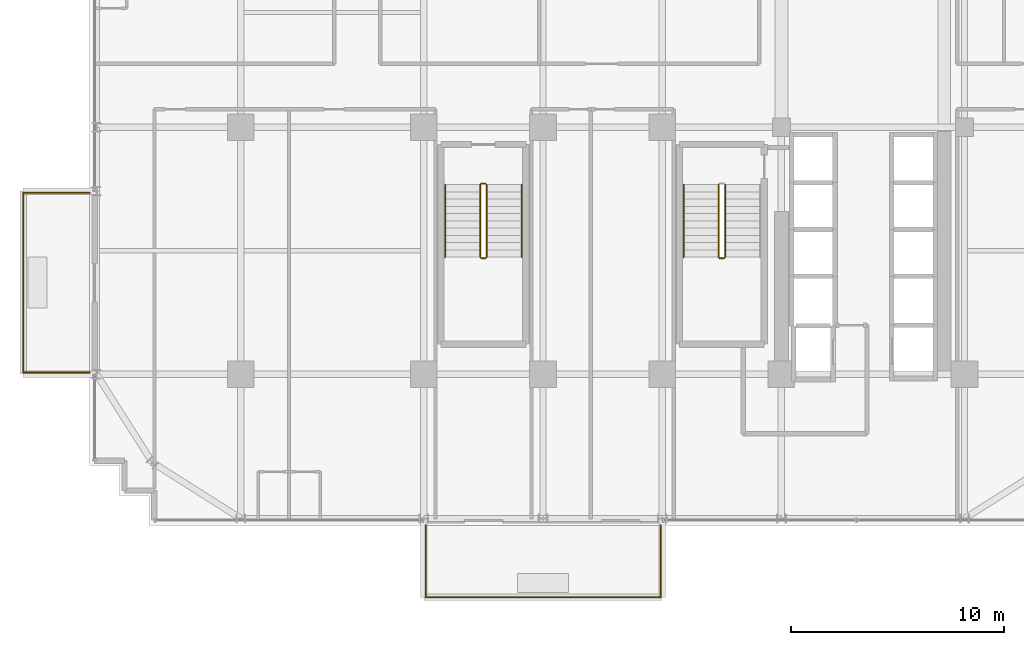
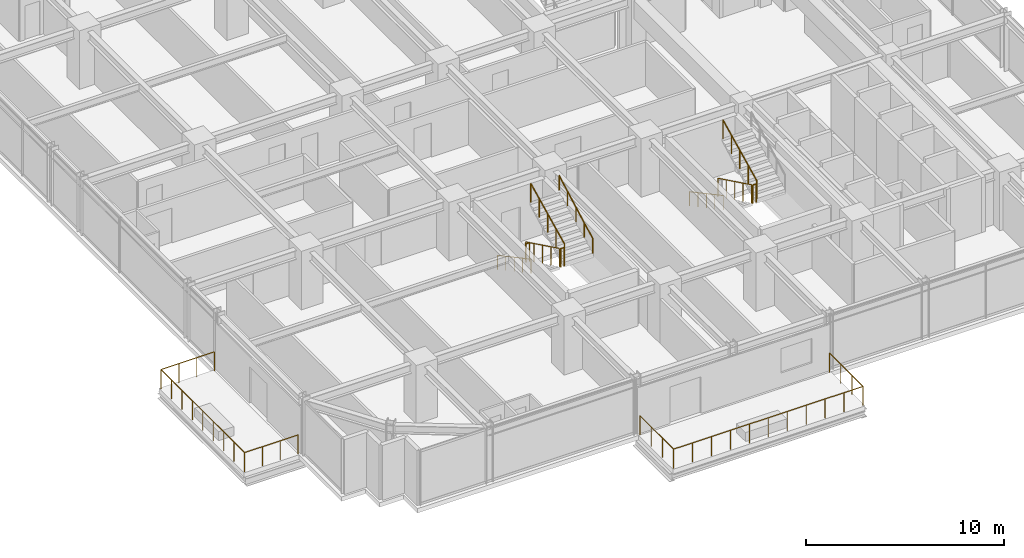
# One storey, part 29 of 31: 12 railings.
"""IFC4 building model written with IfcOpenShell, lengths in metres."""

from ifc_helpers import new_model, si_unit, direction, frame, origin, origin_2d, place, context, subcontext, project, spatial, circle, extrude, material, type_object, element, save


model = new_model("IFC4")

# Units and contexts
model_context = context("Model", 3, precision=1e-05, world=origin(), true_north=direction((0.0, 1.0)))
body_context = subcontext(model_context, "Body", "Model", "MODEL_VIEW")
ifc_project = project(units=[si_unit("LENGTHUNIT", "METRE"), si_unit("AREAUNIT", "SQUARE_METRE"), si_unit("VOLUMEUNIT", "CUBIC_METRE"), si_unit("PLANEANGLEUNIT", "RADIAN"), si_unit("MASSUNIT", "GRAM", prefix="KILO")], contexts=[model_context])

# Site, building, storey
site_placement = place(None, origin())
site = spatial("IfcSite", under=ifc_project, at=site_placement, CompositionType="ELEMENT")
building_placement = place(site_placement, origin())
building = spatial("IfcBuilding", under=site, at=building_placement, Name="Nahalor Promenade Grand Hotel", CompositionType="ELEMENT")
storey_placement = place(building_placement, frame((0.0, 0.0, 95.60009765625)))
storey = spatial("IfcBuildingStorey", under=building, at=storey_placement, Name="L23", CompositionType="ELEMENT", Elevation=95.60009765625)

# Railings
ifc_material_1 = material(Name="Anodised Bronze Aluminium EN AW-6063 T6", Category="aluminium")
railing_type_1 = type_object("IfcRailingType", Name="Bronze Balcony Guardrail 1200 mm", PredefinedType="GUARDRAIL", material=ifc_material_1)
railing_1_placement = place(storey_placement, frame((-8.320068359375, -24.10009765625, 0.0)))
element("IfcRailing", 1, at=railing_1_placement, inside=storey, type_object=railing_type_1, Name="L23 Balcony Guardrail 1", PredefinedType="GUARDRAIL", context=body_context, shape_type="SweptSolid", body=[
    extrude(circle(Radius=0.024048, at=origin_2d()), frame((0.0, 0.0, 1.17578125), z_axis=(0.0, -1.0, 0.0), x_axis=(1.0, 0.0, 0.0)), (0.0, 0.0, 1.0), 3.3779296875),
    extrude(circle(Radius=0.024048, at=origin_2d()), frame((0.001953125, -3.3798828125, 1.17578125), z_axis=(1.0, 0.0, 0.0), x_axis=(0.0, 1.0, 0.0)), (0.0, 0.0, 1.0), 11.0361328125),
    extrude(circle(Radius=0.024048, at=origin_2d()), frame((11.0400390625, -3.3779296875, 1.17578125), z_axis=(0.0, 1.0, 0.0), x_axis=(-1.0, 0.0, 0.0)), (0.0, 0.0, 1.0), 3.3779296875),
    extrude(circle(Radius=0.020996, at=origin_2d()), origin(), (0.0, 0.0, 1.0), 1.14990234375),
    extrude(circle(Radius=0.020996, at=origin_2d()), frame((0.0, -1.126708984375, 0.0)), (0.0, 0.0, 1.0), 1.14990234375),
    extrude(circle(Radius=0.020996, at=origin_2d()), frame((0.0, -2.253173828125, 0.0)), (0.0, 0.0, 1.0), 1.14990234375),
    extrude(circle(Radius=0.020996, at=origin_2d()), frame((0.0, -3.3798828125, 0.0)), (0.0, 0.0, 1.0), 1.14990234375),
    extrude(circle(Radius=0.020996, at=origin_2d()), frame((1.10400390625, -3.3798828125, 0.0)), (0.0, 0.0, 1.0), 1.14990234375),
    extrude(circle(Radius=0.020996, at=origin_2d()), frame((2.2080078125, -3.3798828125, 0.0)), (0.0, 0.0, 1.0), 1.14990234375),
    extrude(circle(Radius=0.020996, at=origin_2d()), frame((3.31201171875, -3.3798828125, 0.0)), (0.0, 0.0, 1.0), 1.14990234375),
    extrude(circle(Radius=0.020996, at=origin_2d()), frame((4.416015625, -3.3798828125, 0.0)), (0.0, 0.0, 1.0), 1.14990234375),
    extrude(circle(Radius=0.020996, at=origin_2d()), frame((5.52001953125, -3.3798828125, 0.0)), (0.0, 0.0, 1.0), 1.14990234375),
    extrude(circle(Radius=0.020996, at=origin_2d()), frame((6.6240234375, -3.3798828125, 0.0)), (0.0, 0.0, 1.0), 1.14990234375),
    extrude(circle(Radius=0.020996, at=origin_2d()), frame((7.72802734375, -3.3798828125, 0.0)), (0.0, 0.0, 1.0), 1.14990234375),
    extrude(circle(Radius=0.020996, at=origin_2d()), frame((8.83203125, -3.3798828125, 0.0)), (0.0, 0.0, 1.0), 1.14990234375),
    extrude(circle(Radius=0.020996, at=origin_2d()), frame((9.93603515625, -3.3798828125, 0.0)), (0.0, 0.0, 1.0), 1.14990234375),
    extrude(circle(Radius=0.020996, at=origin_2d()), frame((11.0400390625, -3.3798828125, 0.0)), (0.0, 0.0, 1.0), 1.14990234375),
    extrude(circle(Radius=0.020996, at=origin_2d()), frame((11.0400390625, -2.253173828125, 0.0)), (0.0, 0.0, 1.0), 1.14990234375),
    extrude(circle(Radius=0.020996, at=origin_2d()), frame((11.0400390625, -1.126708984375, 0.0)), (0.0, 0.0, 1.0), 1.14990234375),
    extrude(circle(Radius=0.020996, at=origin_2d()), frame((11.0400390625, 0.0, 0.0)), (0.0, 0.0, 1.0), 1.14990234375),
])
railing_2_placement = place(storey_placement, frame((-24.10009765625, -16.919921875, 0.0)))
element("IfcRailing", 2, at=railing_2_placement, inside=storey, type_object=railing_type_1, Name="L23 Balcony Guardrail 2", PredefinedType="GUARDRAIL", context=body_context, shape_type="SweptSolid", body=[
    extrude(circle(Radius=0.024048, at=origin_2d()), frame((0.0, 0.0, 1.17578125), z_axis=(-1.0, 0.0, 0.0), x_axis=(0.0, -1.0, 0.0)), (0.0, 0.0, 1.0), 3.117919921875),
    extrude(circle(Radius=0.024048, at=origin_2d()), frame((-3.119873046875, 0.001953125, 1.17578125), z_axis=(0.0, 1.0, 0.0), x_axis=(-1.0, 0.0, 0.0)), (0.0, 0.0, 1.0), 8.43603515625),
    extrude(circle(Radius=0.024048, at=origin_2d()), frame((-3.117919921875, 8.43994140625, 1.17578125), z_axis=(1.0, 0.0, 0.0), x_axis=(0.0, 1.0, 0.0)), (0.0, 0.0, 1.0), 3.117919921875),
    extrude(circle(Radius=0.020996, at=origin_2d()), origin(), (0.0, 0.0, 1.0), 1.14990234375),
    extrude(circle(Radius=0.020996, at=origin_2d()), frame((-1.0400390625, 0.0, 0.0)), (0.0, 0.0, 1.0), 1.14990234375),
    extrude(circle(Radius=0.020996, at=origin_2d()), frame((-2.079833984375, 0.0, 0.0)), (0.0, 0.0, 1.0), 1.14990234375),
    extrude(circle(Radius=0.020996, at=origin_2d()), frame((-3.119873046875, 0.0, 0.0)), (0.0, 0.0, 1.0), 1.14990234375),
    extrude(circle(Radius=0.020996, at=origin_2d()), frame((-3.119873046875, 1.054931640625, 0.0)), (0.0, 0.0, 1.0), 1.14990234375),
    extrude(circle(Radius=0.020996, at=origin_2d()), frame((-3.119873046875, 2.10986328125, 0.0)), (0.0, 0.0, 1.0), 1.14990234375),
    extrude(circle(Radius=0.020996, at=origin_2d()), frame((-3.119873046875, 3.1650390625, 0.0)), (0.0, 0.0, 1.0), 1.14990234375),
    extrude(circle(Radius=0.020996, at=origin_2d()), frame((-3.119873046875, 4.219970703125, 0.0)), (0.0, 0.0, 1.0), 1.14990234375),
    extrude(circle(Radius=0.020996, at=origin_2d()), frame((-3.119873046875, 5.27490234375, 0.0)), (0.0, 0.0, 1.0), 1.14990234375),
    extrude(circle(Radius=0.020996, at=origin_2d()), frame((-3.119873046875, 6.330078125, 0.0)), (0.0, 0.0, 1.0), 1.14990234375),
    extrude(circle(Radius=0.020996, at=origin_2d()), frame((-3.119873046875, 7.385009765625, 0.0)), (0.0, 0.0, 1.0), 1.14990234375),
    extrude(circle(Radius=0.020996, at=origin_2d()), frame((-3.119873046875, 8.43994140625, 0.0)), (0.0, 0.0, 1.0), 1.14990234375),
    extrude(circle(Radius=0.020996, at=origin_2d()), frame((-2.079833984375, 8.43994140625, 0.0)), (0.0, 0.0, 1.0), 1.14990234375),
    extrude(circle(Radius=0.020996, at=origin_2d()), frame((-1.0400390625, 8.43994140625, 0.0)), (0.0, 0.0, 1.0), 1.14990234375),
    extrude(circle(Radius=0.020996, at=origin_2d()), frame((0.0, 8.43994140625, 0.0)), (0.0, 0.0, 1.0), 1.14990234375),
])
ifc_material_2 = material(Name="Steel S355JR", Category="steel")
railing_type_2 = type_object("IfcRailingType", Name="Steel Stair Guardrail 1150 mm", PredefinedType="GUARDRAIL", material=ifc_material_2)
railing_3_placement = place(storey_placement, frame((5.449951171875, -8.10009765625, 0.165771484375)))
element("IfcRailing", 3, at=railing_3_placement, inside=storey, type_object=railing_type_2, Name="L23 ST2 stair guard 1", PredefinedType="GUARDRAIL", context=body_context, shape_type="SweptSolid", body=[
    extrude(circle(Radius=0.024048, at=origin_2d()), frame((0.0, 0.0, 1.1259765625), z_axis=(0.0, -0.898696488221, 0.438571114028), x_axis=(1.0, 0.0, 0.0)), (0.0, 0.0, 1.0), 3.783203125),
    extrude(circle(Radius=0.020996, at=origin_2d()), origin(), (0.0, 0.0, 1.0), 1.099853515625),
    extrude(circle(Radius=0.020996, at=origin_2d()), frame((0.0, -0.85009765625, 0.414794921875)), (0.0, 0.0, 1.0), 1.099853515625),
    extrude(circle(Radius=0.020996, at=origin_2d()), frame((0.0, -1.699951171875, 0.82958984375)), (0.0, 0.0, 1.0), 1.099853515625),
    extrude(circle(Radius=0.020996, at=origin_2d()), frame((0.0, -2.5498046875, 1.244384765625)), (0.0, 0.0, 1.0), 1.099853515625),
    extrude(circle(Radius=0.020996, at=origin_2d()), frame((0.0, -3.39990234375, 1.6591796875)), (0.0, 0.0, 1.0), 1.099853515625),
])
railing_4_placement = place(storey_placement, frame((5.5, -11.550048828125, 1.824951171875)))
element("IfcRailing", 4, at=railing_4_placement, inside=storey, type_object=railing_type_2, Name="L23 ST2 stair guard 2", PredefinedType="GUARDRAIL", context=body_context, shape_type="SweptSolid", body=[
    extrude(circle(Radius=0.024048, at=origin_2d()), frame((0.0, 0.0, 1.1259765625), z_axis=(1.0, 0.0, 0.0), x_axis=(0.0, 1.0, 0.0)), (0.0, 0.0, 1.0), 0.199951171875),
    extrude(circle(Radius=0.020996, at=origin_2d()), origin(), (0.0, 0.0, 1.0), 1.099853515625),
    extrude(circle(Radius=0.020996, at=origin_2d()), frame((0.199951171875, 0.0, 0.0)), (0.0, 0.0, 1.0), 1.099853515625),
])
railing_5_placement = place(storey_placement, frame((5.75, -11.5, 1.99072265625)))
element("IfcRailing", 5, at=railing_5_placement, inside=storey, type_object=railing_type_2, Name="L23 ST2 stair guard 3", PredefinedType="GUARDRAIL", context=body_context, shape_type="SweptSolid", body=[
    extrude(circle(Radius=0.024048, at=origin_2d()), frame((0.0, 0.0, 1.1259765625), z_axis=(0.0, 0.898696488221, 0.438571114028), x_axis=(-1.0, 0.0, 0.0)), (0.0, 0.0, 1.0), 3.783203125),
    extrude(circle(Radius=0.020996, at=origin_2d()), origin(), (0.0, 0.0, 1.0), 1.099853515625),
    extrude(circle(Radius=0.020996, at=origin_2d()), frame((0.0, 0.85009765625, 0.414794921875)), (0.0, 0.0, 1.0), 1.099853515625),
    extrude(circle(Radius=0.020996, at=origin_2d()), frame((0.0, 1.699951171875, 0.82958984375)), (0.0, 0.0, 1.0), 1.099853515625),
    extrude(circle(Radius=0.020996, at=origin_2d()), frame((0.0, 2.5498046875, 1.244384765625)), (0.0, 0.0, 1.0), 1.099853515625),
    extrude(circle(Radius=0.020996, at=origin_2d()), frame((0.0, 3.39990234375, 1.6591796875)), (0.0, 0.0, 1.0), 1.099853515625),
])
railing_6_placement = place(storey_placement, frame((-5.75, -8.10009765625, 0.165771484375)))
element("IfcRailing", 6, at=railing_6_placement, inside=storey, type_object=railing_type_2, Name="L23 ST3 stair guard 1", PredefinedType="GUARDRAIL", context=body_context, shape_type="SweptSolid", body=[
    extrude(circle(Radius=0.024048, at=origin_2d()), frame((0.0, 0.0, 1.1259765625), z_axis=(0.0, -0.898696488221, 0.438571114028), x_axis=(1.0, 0.0, 0.0)), (0.0, 0.0, 1.0), 3.783203125),
    extrude(circle(Radius=0.020996, at=origin_2d()), origin(), (0.0, 0.0, 1.0), 1.099853515625),
    extrude(circle(Radius=0.020996, at=origin_2d()), frame((0.0, -0.85009765625, 0.414794921875)), (0.0, 0.0, 1.0), 1.099853515625),
    extrude(circle(Radius=0.020996, at=origin_2d()), frame((0.0, -1.699951171875, 0.82958984375)), (0.0, 0.0, 1.0), 1.099853515625),
    extrude(circle(Radius=0.020996, at=origin_2d()), frame((0.0, -2.5498046875, 1.244384765625)), (0.0, 0.0, 1.0), 1.099853515625),
    extrude(circle(Radius=0.020996, at=origin_2d()), frame((0.0, -3.39990234375, 1.6591796875)), (0.0, 0.0, 1.0), 1.099853515625),
])
railing_7_placement = place(storey_placement, frame((-5.699951171875, -11.550048828125, 1.824951171875)))
element("IfcRailing", 7, at=railing_7_placement, inside=storey, type_object=railing_type_2, Name="L23 ST3 stair guard 2", PredefinedType="GUARDRAIL", context=body_context, shape_type="SweptSolid", body=[
    extrude(circle(Radius=0.024048, at=origin_2d()), frame((0.0, 0.0, 1.1259765625), z_axis=(1.0, 0.0, 0.0), x_axis=(0.0, 1.0, 0.0)), (0.0, 0.0, 1.0), 0.199951171875),
    extrude(circle(Radius=0.020996, at=origin_2d()), origin(), (0.0, 0.0, 1.0), 1.099853515625),
    extrude(circle(Radius=0.020996, at=origin_2d()), frame((0.199951171875, 0.0, 0.0)), (0.0, 0.0, 1.0), 1.099853515625),
])
railing_8_placement = place(storey_placement, frame((-5.449951171875, -11.5, 1.99072265625)))
element("IfcRailing", 8, at=railing_8_placement, inside=storey, type_object=railing_type_2, Name="L23 ST3 stair guard 3", PredefinedType="GUARDRAIL", context=body_context, shape_type="SweptSolid", body=[
    extrude(circle(Radius=0.024048, at=origin_2d()), frame((0.0, 0.0, 1.1259765625), z_axis=(0.0, 0.898696488221, 0.438571114028), x_axis=(-1.0, 0.0, 0.0)), (0.0, 0.0, 1.0), 3.783203125),
    extrude(circle(Radius=0.020996, at=origin_2d()), origin(), (0.0, 0.0, 1.0), 1.099853515625),
    extrude(circle(Radius=0.020996, at=origin_2d()), frame((0.0, 0.85009765625, 0.414794921875)), (0.0, 0.0, 1.0), 1.099853515625),
    extrude(circle(Radius=0.020996, at=origin_2d()), frame((0.0, 1.699951171875, 0.82958984375)), (0.0, 0.0, 1.0), 1.099853515625),
    extrude(circle(Radius=0.020996, at=origin_2d()), frame((0.0, 2.5498046875, 1.244384765625)), (0.0, 0.0, 1.0), 1.099853515625),
    extrude(circle(Radius=0.020996, at=origin_2d()), frame((0.0, 3.39990234375, 1.6591796875)), (0.0, 0.0, 1.0), 1.099853515625),
])
railing_9_placement = place(storey_placement, frame((-5.699951171875, -8.050048828125, 0.0)))
element("IfcRailing", 9, at=railing_9_placement, inside=storey, type_object=railing_type_2, Name="L23 ST3 stair guard 4", PredefinedType="GUARDRAIL", context=body_context, shape_type="SweptSolid", body=[
    extrude(circle(Radius=0.024048, at=origin_2d()), frame((0.0, 0.0, 1.1259765625), z_axis=(1.0, 0.0, 0.0), x_axis=(0.0, 1.0, 0.0)), (0.0, 0.0, 1.0), 0.199951171875),
    extrude(circle(Radius=0.020996, at=origin_2d()), origin(), (0.0, 0.0, 1.0), 1.099853515625),
    extrude(circle(Radius=0.020996, at=origin_2d()), frame((0.199951171875, 0.0, 0.0)), (0.0, 0.0, 1.0), 1.099853515625),
])
railing_type_3 = type_object("IfcRailingType", Name="Steel Stair Handrail 900 mm", PredefinedType="HANDRAIL", material=ifc_material_2)
for number, where, name in (
    (10, (3.800048828125, -8.10009765625, 0.165771484375), "L23 ST2 stair handrail 1"),
    (11, (-7.39990234375, -8.10009765625, 0.165771484375), "L23 ST3 stair handrail 1"),
):
    element("IfcRailing", number, at=place(storey_placement, frame(where)), inside=storey, type_object=railing_type_3, Name=name, PredefinedType="HANDRAIL", context=body_context, shape_type="SweptSolid", body=[
        extrude(circle(Radius=0.024048, at=origin_2d()), frame((0.0, 0.0, 0.8759765625), z_axis=(0.0, -0.881094038095, 0.47294111265), x_axis=(1.0, 0.0, 0.0)), (0.0, 0.0, 1.0), 3.858642578125),
        extrude(circle(Radius=0.020996, at=origin_2d()), origin(), (0.0, 0.0, 1.0), 0.849853515625),
        extrude(circle(Radius=0.020996, at=origin_2d()), frame((0.0, -0.85009765625, 0.456298828125)), (0.0, 0.0, 1.0), 0.849853515625),
        extrude(circle(Radius=0.020996, at=origin_2d()), frame((0.0, -1.699951171875, 0.91259765625)), (0.0, 0.0, 1.0), 0.849853515625),
        extrude(circle(Radius=0.020996, at=origin_2d()), frame((0.0, -2.5498046875, 1.36865234375)), (0.0, 0.0, 1.0), 0.849853515625),
        extrude(circle(Radius=0.020996, at=origin_2d()), frame((0.0, -3.39990234375, 1.824951171875)), (0.0, 0.0, 1.0), 0.849853515625),
    ])
railing_10_placement = place(storey_placement, frame((-3.800048828125, -11.5, 1.99072265625)))
element("IfcRailing", 12, at=railing_10_placement, inside=storey, type_object=railing_type_3, Name="L23 ST3 stair handrail 2", PredefinedType="HANDRAIL", context=body_context, shape_type="SweptSolid", body=[
    extrude(circle(Radius=0.024048, at=origin_2d()), frame((0.0, 0.0, 0.8759765625), z_axis=(0.0, 0.881067672671, 0.472990228413), x_axis=(-1.0, 0.0, 0.0)), (0.0, 0.0, 1.0), 3.85888671875),
    extrude(circle(Radius=0.020996, at=origin_2d()), origin(), (0.0, 0.0, 1.0), 0.849853515625),
    extrude(circle(Radius=0.020996, at=origin_2d()), frame((0.0, 0.85009765625, 0.456298828125)), (0.0, 0.0, 1.0), 0.849853515625),
    extrude(circle(Radius=0.020996, at=origin_2d()), frame((0.0, 1.699951171875, 0.91259765625)), (0.0, 0.0, 1.0), 0.849853515625),
    extrude(circle(Radius=0.020996, at=origin_2d()), frame((0.0, 2.5498046875, 1.368896484375)), (0.0, 0.0, 1.0), 0.849853515625),
    extrude(circle(Radius=0.020996, at=origin_2d()), frame((0.0, 3.39990234375, 1.8251953125)), (0.0, 0.0, 1.0), 0.849853515625),
])

save(model, "model.ifc")
